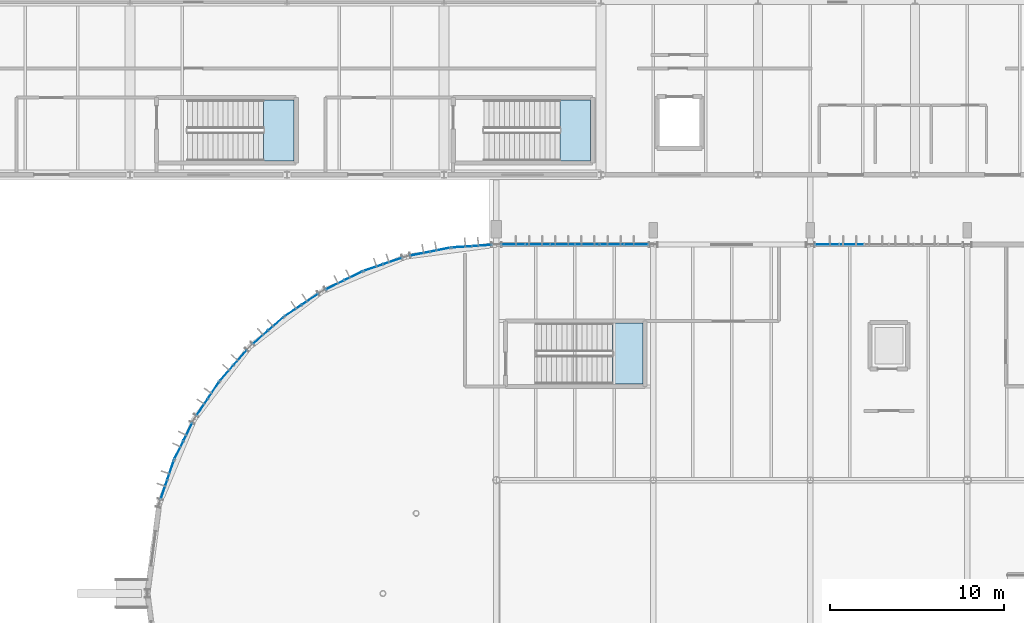
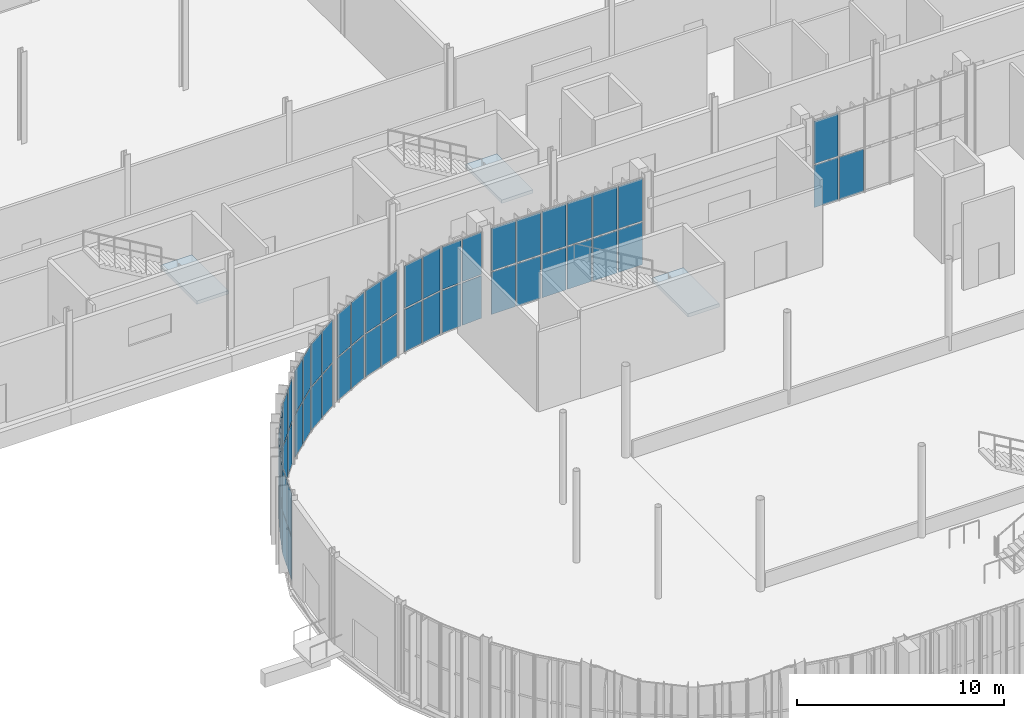
# One storey, part 110 of 158: 55 plates, 3 slabs, 15 elements without a shape of their own.
"""IFC4 building model written with IfcOpenShell, lengths in metres."""

from ifc_helpers import new_model, si_unit, derived_unit, direction, frame, origin, origin_2d, place, context, subcontext, project, spatial, polyline, rectangle, outline, extrude, material, layer, layer_set, type_object, element, aggregate, save


model = new_model("IFC4")

# Units and contexts
model_context = context("Model", 3, precision=1e-05, world=origin(), true_north=direction((0.0, 1.0)))
body_context = subcontext(model_context, "Body", "Model", "MODEL_VIEW")
ifc_project = project(units=[si_unit("LENGTHUNIT", "METRE"), si_unit("AREAUNIT", "SQUARE_METRE"), si_unit("VOLUMEUNIT", "CUBIC_METRE"), si_unit("PLANEANGLEUNIT", "RADIAN"), si_unit("MASSUNIT", "GRAM", prefix="KILO"), si_unit("THERMODYNAMICTEMPERATUREUNIT", "KELVIN"), si_unit("TIMEUNIT", "SECOND"), derived_unit("THERMALTRANSMITTANCEUNIT", [(si_unit("MASSUNIT", "GRAM", prefix="KILO"), 1), (si_unit("THERMODYNAMICTEMPERATUREUNIT", "KELVIN"), -1), (si_unit("TIMEUNIT", "SECOND"), -3)])], contexts=[model_context])

# Site, building, storey
site_placement = place(None, origin())
site = spatial("IfcSite", under=ifc_project, at=site_placement, CompositionType="ELEMENT")
building_placement = place(site_placement, origin())
building = spatial("IfcBuilding", under=site, at=building_placement, Name="Cambertide Market Hall", CompositionType="ELEMENT")
storey_placement = place(building_placement, origin())
storey = spatial("IfcBuildingStorey", under=building, at=storey_placement, Name="L01", CompositionType="ELEMENT", Elevation=0.0)

# Stair, slab
ifc_material_1 = material(Name="Concrete B35", Category="concrete")
stair_type_1 = type_object("IfcStairType", Name="Concrete Dogleg Stair ST-01", PredefinedType="HALF_TURN_STAIR", material=ifc_material_1)
stair_1_placement = place(storey_placement, origin())
stair_1 = element("IfcStair", 1, at=stair_1_placement, inside=storey, type_object=stair_type_1, Name="Level 1 Exit Stair Core 01", PredefinedType="HALF_TURN_STAIR")
ifc_material_2 = material(Name="Concrete B35", Category="concrete")
ifc_layer_1 = layer(ifc_material_2, 0.199951171875, Name="Concrete Stair Half-Landing 200")
ifc_layer_set_1 = layer_set([ifc_layer_1], Name="Concrete B35")
slab_type = type_object("IfcSlabType", Name="Concrete Stair Half-Landing 200", PredefinedType="LANDING", material=ifc_layer_set_1)
slab_1_placement = place(storey_placement, frame((0.0, 0.0, 2.5)))
slab_1 = element("IfcSlab", 2, at=slab_1_placement, type_object=slab_type, Name="ST-01 landing 1", PredefinedType="LANDING", context=body_context, shape_type="SweptSolid", body=[
    extrude(outline(polyline([(48.64599609375, 84.0), (50.39990234375, 84.0), (50.39990234375, 87.5), (48.64599609375, 87.5), (48.64599609375, 84.0)])), origin(), (0.0, 0.0, 1.0), 0.199951171875),
])
aggregate(stair_1, [slab_1])

ifc_material_3 = material(Name="Concrete B35", Category="concrete")
stair_type_2 = type_object("IfcStairType", Name="Concrete Dogleg Stair ST-03", PredefinedType="HALF_TURN_STAIR", material=ifc_material_3)
stair_2_placement = place(storey_placement, origin())
stair_2 = element("IfcStair", 3, at=stair_2_placement, inside=storey, type_object=stair_type_2, Name="Level 1 Exit Stair Core 03", PredefinedType="HALF_TURN_STAIR")
slab_2_placement = place(storey_placement, frame((0.0, 0.0, 2.5)))
slab_2 = element("IfcSlab", 4, at=slab_2_placement, type_object=slab_type, Name="ST-03 landing 1", PredefinedType="LANDING", context=body_context, shape_type="SweptSolid", body=[
    extrude(outline(polyline([(28.64599609375, 96.800048828125), (30.39990234375, 96.800048828125), (30.39990234375, 100.300048828125), (28.64599609375, 100.300048828125), (28.64599609375, 96.800048828125)])), origin(), (0.0, 0.0, 1.0), 0.199951171875),
])
aggregate(stair_2, [slab_2])

ifc_material_4 = material(Name="Concrete B35", Category="concrete")
stair_type_3 = type_object("IfcStairType", Name="Concrete Dogleg Stair ST-03B", PredefinedType="HALF_TURN_STAIR", material=ifc_material_4)
stair_3_placement = place(storey_placement, origin())
stair_3 = element("IfcStair", 5, at=stair_3_placement, inside=storey, type_object=stair_type_3, Name="Level 1 Exit Stair Core 03B", PredefinedType="HALF_TURN_STAIR")
slab_3_placement = place(storey_placement, frame((0.0, 0.0, 2.5)))
slab_3 = element("IfcSlab", 6, at=slab_3_placement, type_object=slab_type, Name="ST-03B landing 1", PredefinedType="LANDING", context=body_context, shape_type="SweptSolid", body=[
    extrude(outline(polyline([(45.64599609375, 96.800048828125), (47.39990234375, 96.800048828125), (47.39990234375, 100.300048828125), (45.64599609375, 100.300048828125), (45.64599609375, 96.800048828125)])), origin(), (0.0, 0.0, 1.0), 0.199951171875),
])
aggregate(stair_3, [slab_3])

# Curtain wall, plates
ifc_material_5 = material(Name="Marine Anodized Aluminium 6063-T6 AA25", Category="aluminium")
curtain_wall_type_1 = type_object("IfcCurtainWallType", Name="Lantern Straight Lower Curtain Wall", PredefinedType="USERDEFINED", material=ifc_material_5)
curtain_wall_1_placement = place(storey_placement, origin())
curtain_wall_1 = element("IfcCurtainWall", 7, at=curtain_wall_1_placement, inside=storey, type_object=curtain_wall_type_1, Name="Level 1 Curtain Wall CW-V1N-L01-1", ObjectType="UNITIZED CURTAIN WALL", PredefinedType="USERDEFINED")
ifc_material_6 = material(Name="Low-E Laminated Insulated Glass", Category="glass")
ifc_layer_2 = layer(ifc_material_6, 0.028076171875, Name="Vision Insulated Glazing Panel 28")
ifc_layer_set_2 = layer_set([ifc_layer_2], Name="Low-E Laminated Insulated Glass")
plate_type = type_object("IfcPlateType", Name="Vision Insulated Glazing Panel 28", PredefinedType="CURTAIN_PANEL", material=ifc_layer_set_2)
plate_1_placement = place(storey_placement, frame((42.958251953125, 92.0, 0.0400390625), z_axis=(0.0, 0.0, 1.0), x_axis=(1.0, 0.0, 0.0)))
plate_1 = element("IfcPlate", 8, at=plate_1_placement, type_object=plate_type, Name="CW-V1N-L01-1 Glazing Panel 1-1", PredefinedType="CURTAIN_PANEL", context=body_context, shape_type="SweptSolid", body=[
    extrude(rectangle(XDim=1.336669921875, YDim=0.028076171875, at=origin_2d()), origin(), (0.0, 0.0, 1.0), 2.5),
])
plate_2_placement = place(storey_placement, frame((44.375, 92.0, 0.0400390625), z_axis=(0.0, 0.0, 1.0), x_axis=(1.0, 0.0, 0.0)))
plate_2 = element("IfcPlate", 9, at=plate_2_placement, type_object=plate_type, Name="CW-V1N-L01-1 Glazing Panel 1-2", PredefinedType="CURTAIN_PANEL", context=body_context, shape_type="SweptSolid", body=[
    extrude(rectangle(XDim=1.336669921875, YDim=0.028076171875, at=origin_2d()), origin(), (0.0, 0.0, 1.0), 2.5),
])
plate_3_placement = place(storey_placement, frame((45.791748046875, 92.0, 0.0400390625), z_axis=(0.0, 0.0, 1.0), x_axis=(1.0, 0.0, 0.0)))
plate_3 = element("IfcPlate", 10, at=plate_3_placement, type_object=plate_type, Name="CW-V1N-L01-1 Glazing Panel 1-3", PredefinedType="CURTAIN_PANEL", context=body_context, shape_type="SweptSolid", body=[
    extrude(rectangle(XDim=1.336669921875, YDim=0.028076171875, at=origin_2d()), origin(), (0.0, 0.0, 1.0), 2.5),
])
plate_4_placement = place(storey_placement, frame((47.208251953125, 92.0, 0.0400390625), z_axis=(0.0, 0.0, 1.0), x_axis=(1.0, 0.0, 0.0)))
plate_4 = element("IfcPlate", 11, at=plate_4_placement, type_object=plate_type, Name="CW-V1N-L01-1 Glazing Panel 1-4", PredefinedType="CURTAIN_PANEL", context=body_context, shape_type="SweptSolid", body=[
    extrude(rectangle(XDim=1.336669921875, YDim=0.028076171875, at=origin_2d()), origin(), (0.0, 0.0, 1.0), 2.5),
])
plate_5_placement = place(storey_placement, frame((48.625, 92.0, 0.0400390625), z_axis=(0.0, 0.0, 1.0), x_axis=(1.0, 0.0, 0.0)))
plate_5 = element("IfcPlate", 12, at=plate_5_placement, type_object=plate_type, Name="CW-V1N-L01-1 Glazing Panel 1-5", PredefinedType="CURTAIN_PANEL", context=body_context, shape_type="SweptSolid", body=[
    extrude(rectangle(XDim=1.336669921875, YDim=0.028076171875, at=origin_2d()), origin(), (0.0, 0.0, 1.0), 2.5),
])
plate_6_placement = place(storey_placement, frame((50.041748046875, 92.0, 0.0400390625), z_axis=(0.0, 0.0, 1.0), x_axis=(1.0, 0.0, 0.0)))
plate_6 = element("IfcPlate", 13, at=plate_6_placement, type_object=plate_type, Name="CW-V1N-L01-1 Glazing Panel 1-6", PredefinedType="CURTAIN_PANEL", context=body_context, shape_type="SweptSolid", body=[
    extrude(rectangle(XDim=1.336669921875, YDim=0.028076171875, at=origin_2d()), origin(), (0.0, 0.0, 1.0), 2.5),
])
plate_7_placement = place(storey_placement, frame((42.958251953125, 92.0, 2.6201171875), z_axis=(0.0, 0.0, 1.0), x_axis=(1.0, 0.0, 0.0)))
plate_7 = element("IfcPlate", 14, at=plate_7_placement, type_object=plate_type, Name="CW-V1N-L01-1 Glazing Panel 2-1", PredefinedType="CURTAIN_PANEL", context=body_context, shape_type="SweptSolid", body=[
    extrude(rectangle(XDim=1.336669921875, YDim=0.028076171875, at=origin_2d()), origin(), (0.0, 0.0, 1.0), 2.5),
])
plate_8_placement = place(storey_placement, frame((44.375, 92.0, 2.6201171875), z_axis=(0.0, 0.0, 1.0), x_axis=(1.0, 0.0, 0.0)))
plate_8 = element("IfcPlate", 15, at=plate_8_placement, type_object=plate_type, Name="CW-V1N-L01-1 Glazing Panel 2-2", PredefinedType="CURTAIN_PANEL", context=body_context, shape_type="SweptSolid", body=[
    extrude(rectangle(XDim=1.336669921875, YDim=0.028076171875, at=origin_2d()), origin(), (0.0, 0.0, 1.0), 2.5),
])
plate_9_placement = place(storey_placement, frame((45.791748046875, 92.0, 2.6201171875), z_axis=(0.0, 0.0, 1.0), x_axis=(1.0, 0.0, 0.0)))
plate_9 = element("IfcPlate", 16, at=plate_9_placement, type_object=plate_type, Name="CW-V1N-L01-1 Glazing Panel 2-3", PredefinedType="CURTAIN_PANEL", context=body_context, shape_type="SweptSolid", body=[
    extrude(rectangle(XDim=1.336669921875, YDim=0.028076171875, at=origin_2d()), origin(), (0.0, 0.0, 1.0), 2.5),
])
plate_10_placement = place(storey_placement, frame((47.208251953125, 92.0, 2.6201171875), z_axis=(0.0, 0.0, 1.0), x_axis=(1.0, 0.0, 0.0)))
plate_10 = element("IfcPlate", 17, at=plate_10_placement, type_object=plate_type, Name="CW-V1N-L01-1 Glazing Panel 2-4", PredefinedType="CURTAIN_PANEL", context=body_context, shape_type="SweptSolid", body=[
    extrude(rectangle(XDim=1.336669921875, YDim=0.028076171875, at=origin_2d()), origin(), (0.0, 0.0, 1.0), 2.5),
])
plate_11_placement = place(storey_placement, frame((48.625, 92.0, 2.6201171875), z_axis=(0.0, 0.0, 1.0), x_axis=(1.0, 0.0, 0.0)))
plate_11 = element("IfcPlate", 18, at=plate_11_placement, type_object=plate_type, Name="CW-V1N-L01-1 Glazing Panel 2-5", PredefinedType="CURTAIN_PANEL", context=body_context, shape_type="SweptSolid", body=[
    extrude(rectangle(XDim=1.336669921875, YDim=0.028076171875, at=origin_2d()), origin(), (0.0, 0.0, 1.0), 2.5),
])
plate_12_placement = place(storey_placement, frame((50.041748046875, 92.0, 2.6201171875), z_axis=(0.0, 0.0, 1.0), x_axis=(1.0, 0.0, 0.0)))
plate_12 = element("IfcPlate", 19, at=plate_12_placement, type_object=plate_type, Name="CW-V1N-L01-1 Glazing Panel 2-6", PredefinedType="CURTAIN_PANEL", context=body_context, shape_type="SweptSolid", body=[
    extrude(rectangle(XDim=1.336669921875, YDim=0.028076171875, at=origin_2d()), origin(), (0.0, 0.0, 1.0), 2.5),
])
aggregate(curtain_wall_1, [plate_1, plate_2, plate_3, plate_4, plate_5, plate_6, plate_7, plate_8, plate_9, plate_10, plate_11, plate_12])

curtain_wall_2_placement = place(storey_placement, origin())
curtain_wall_2 = element("IfcCurtainWall", 20, at=curtain_wall_2_placement, inside=storey, type_object=curtain_wall_type_1, Name="Level 1 Curtain Wall CW-V1N-L01-3", ObjectType="UNITIZED CURTAIN WALL", PredefinedType="USERDEFINED")
plate_13_placement = place(storey_placement, frame((60.958251953125, 92.0, 0.0400390625), z_axis=(0.0, 0.0, 1.0), x_axis=(1.0, 0.0, 0.0)))
plate_13 = element("IfcPlate", 21, at=plate_13_placement, type_object=plate_type, Name="CW-V1N-L01-3 Glazing Panel 1-1", PredefinedType="CURTAIN_PANEL", context=body_context, shape_type="SweptSolid", body=[
    extrude(rectangle(XDim=1.336669921875, YDim=0.028076171875, at=origin_2d()), origin(), (0.0, 0.0, 1.0), 2.5),
])
plate_14_placement = place(storey_placement, frame((62.375, 92.0, 0.0400390625), z_axis=(0.0, 0.0, 1.0), x_axis=(1.0, 0.0, 0.0)))
plate_14 = element("IfcPlate", 22, at=plate_14_placement, type_object=plate_type, Name="CW-V1N-L01-3 Glazing Panel 1-2", PredefinedType="CURTAIN_PANEL", context=body_context, shape_type="SweptSolid", body=[
    extrude(rectangle(XDim=1.336669921875, YDim=0.028076171875, at=origin_2d()), origin(), (0.0, 0.0, 1.0), 2.5),
])
plate_15_placement = place(storey_placement, frame((60.958251953125, 92.0, 2.6201171875), z_axis=(0.0, 0.0, 1.0), x_axis=(1.0, 0.0, 0.0)))
plate_15 = element("IfcPlate", 23, at=plate_15_placement, type_object=plate_type, Name="CW-V1N-L01-3 Glazing Panel 2-1", PredefinedType="CURTAIN_PANEL", context=body_context, shape_type="SweptSolid", body=[
    extrude(rectangle(XDim=1.336669921875, YDim=0.028076171875, at=origin_2d()), origin(), (0.0, 0.0, 1.0), 2.5),
])
aggregate(curtain_wall_2, [plate_13, plate_14, plate_15])

ifc_material_7 = material(Name="Marine Anodized Aluminium 6063-T6 AA25", Category="aluminium")
curtain_wall_type_2 = type_object("IfcCurtainWallType", Name="Lantern Apse Chord Lower Curtain Wall", PredefinedType="USERDEFINED", material=ifc_material_7)
curtain_wall_3_placement = place(storey_placement, origin())
curtain_wall_3 = element("IfcCurtainWall", 24, at=curtain_wall_3_placement, inside=storey, type_object=curtain_wall_type_2, Name="Level 1 Curtain Wall CW-V1AW-L01-01", ObjectType="UNITIZED CURTAIN WALL", PredefinedType="USERDEFINED")
plate_16_placement = place(storey_placement, frame((40.002197265625, 91.869140625, 0.0400390625), z_axis=(0.0, 0.0, 1.0), x_axis=(0.997858917819, 0.065403211921, 0.0)))
plate_16 = element("IfcPlate", 25, at=plate_16_placement, type_object=plate_type, Name="CW-V1AW-L01-01 Glazing Panel 1-1", PredefinedType="CURTAIN_PANEL", context=body_context, shape_type="SweptSolid", body=[
    extrude(rectangle(XDim=1.108154296875, YDim=0.028076171875, at=origin_2d()), origin(), (0.0, 0.0, 1.0), 2.5),
])
plate_17_placement = place(storey_placement, frame((41.187744140625, 91.94677734375, 0.0400390625), z_axis=(0.0, 0.0, 1.0), x_axis=(0.997858917819, 0.065403211921, 0.0)))
plate_17 = element("IfcPlate", 26, at=plate_17_placement, type_object=plate_type, Name="CW-V1AW-L01-01 Glazing Panel 1-2", PredefinedType="CURTAIN_PANEL", context=body_context, shape_type="SweptSolid", body=[
    extrude(rectangle(XDim=1.108154296875, YDim=0.028076171875, at=origin_2d()), origin(), (0.0, 0.0, 1.0), 2.5),
])
plate_18_placement = place(storey_placement, frame((40.002197265625, 91.869140625, 2.6201171875), z_axis=(0.0, 0.0, 1.0), x_axis=(0.997858917819, 0.065403211921, 0.0)))
plate_18 = element("IfcPlate", 27, at=plate_18_placement, type_object=plate_type, Name="CW-V1AW-L01-01 Glazing Panel 2-1", PredefinedType="CURTAIN_PANEL", context=body_context, shape_type="SweptSolid", body=[
    extrude(rectangle(XDim=1.108154296875, YDim=0.028076171875, at=origin_2d()), origin(), (0.0, 0.0, 1.0), 2.5),
])
plate_19_placement = place(storey_placement, frame((41.187744140625, 91.94677734375, 2.6201171875), z_axis=(0.0, 0.0, 1.0), x_axis=(0.997858917819, 0.065403211921, 0.0)))
plate_19 = element("IfcPlate", 28, at=plate_19_placement, type_object=plate_type, Name="CW-V1AW-L01-01 Glazing Panel 2-2", PredefinedType="CURTAIN_PANEL", context=body_context, shape_type="SweptSolid", body=[
    extrude(rectangle(XDim=1.108154296875, YDim=0.028076171875, at=origin_2d()), origin(), (0.0, 0.0, 1.0), 2.5),
])
aggregate(curtain_wall_3, [plate_16, plate_17, plate_18, plate_19])

curtain_wall_4_placement = place(storey_placement, origin())
curtain_wall_4 = element("IfcCurtainWall", 29, at=curtain_wall_4_placement, inside=storey, type_object=curtain_wall_type_2, Name="Level 1 Curtain Wall CW-V1AW-L01-02", ObjectType="UNITIZED CURTAIN WALL", PredefinedType="USERDEFINED")
plate_20_placement = place(storey_placement, frame((37.6220703125, 91.477294921875, 0.0400390625), z_axis=(0.0, 0.0, 1.0), x_axis=(0.980785330885, 0.195090068226, 0.0)))
plate_20 = element("IfcPlate", 30, at=plate_20_placement, type_object=plate_type, Name="CW-V1AW-L01-02 Glazing Panel 1-1", PredefinedType="CURTAIN_PANEL", context=body_context, shape_type="SweptSolid", body=[
    extrude(rectangle(XDim=1.108154296875, YDim=0.028076171875, at=origin_2d()), origin(), (0.0, 0.0, 1.0), 2.5),
])
plate_21_placement = place(storey_placement, frame((38.787353515625, 91.708984375, 0.0400390625), z_axis=(0.0, 0.0, 1.0), x_axis=(0.980785330885, 0.195090068226, 0.0)))
plate_21 = element("IfcPlate", 31, at=plate_21_placement, type_object=plate_type, Name="CW-V1AW-L01-02 Glazing Panel 1-2", PredefinedType="CURTAIN_PANEL", context=body_context, shape_type="SweptSolid", body=[
    extrude(rectangle(XDim=1.108154296875, YDim=0.028076171875, at=origin_2d()), origin(), (0.0, 0.0, 1.0), 2.5),
])
plate_22_placement = place(storey_placement, frame((37.6220703125, 91.477294921875, 2.6201171875), z_axis=(0.0, 0.0, 1.0), x_axis=(0.980785330885, 0.195090068226, 0.0)))
plate_22 = element("IfcPlate", 32, at=plate_22_placement, type_object=plate_type, Name="CW-V1AW-L01-02 Glazing Panel 2-1", PredefinedType="CURTAIN_PANEL", context=body_context, shape_type="SweptSolid", body=[
    extrude(rectangle(XDim=1.108154296875, YDim=0.028076171875, at=origin_2d()), origin(), (0.0, 0.0, 1.0), 2.5),
])
plate_23_placement = place(storey_placement, frame((38.787353515625, 91.708984375, 2.6201171875), z_axis=(0.0, 0.0, 1.0), x_axis=(0.980785330885, 0.195090068226, 0.0)))
plate_23 = element("IfcPlate", 33, at=plate_23_placement, type_object=plate_type, Name="CW-V1AW-L01-02 Glazing Panel 2-2", PredefinedType="CURTAIN_PANEL", context=body_context, shape_type="SweptSolid", body=[
    extrude(rectangle(XDim=1.108154296875, YDim=0.028076171875, at=origin_2d()), origin(), (0.0, 0.0, 1.0), 2.5),
])
aggregate(curtain_wall_4, [plate_20, plate_21, plate_22, plate_23])

curtain_wall_5_placement = place(storey_placement, origin())
curtain_wall_5 = element("IfcCurtainWall", 34, at=curtain_wall_5_placement, inside=storey, type_object=curtain_wall_type_2, Name="Level 1 Curtain Wall CW-V1AW-L01-03", ObjectType="UNITIZED CURTAIN WALL", PredefinedType="USERDEFINED")
plate_24_placement = place(storey_placement, frame((34.927734375, 90.675048828125, 0.0400390625), z_axis=(0.0, 0.0, 1.0), x_axis=(0.94693012508, 0.32143947831, 0.0)))
plate_24 = element("IfcPlate", 35, at=plate_24_placement, type_object=plate_type, Name="CW-V1AW-L01-03 Glazing Panel 1-1", PredefinedType="CURTAIN_PANEL", context=body_context, shape_type="SweptSolid", body=[
    extrude(rectangle(XDim=1.108154296875, YDim=0.028076171875, at=origin_2d()), origin(), (0.0, 0.0, 1.0), 2.5),
])
plate_25_placement = place(storey_placement, frame((36.052734375, 91.056884765625, 0.0400390625), z_axis=(0.0, 0.0, 1.0), x_axis=(0.94693012508, 0.32143947831, 0.0)))
plate_25 = element("IfcPlate", 36, at=plate_25_placement, type_object=plate_type, Name="CW-V1AW-L01-03 Glazing Panel 1-2", PredefinedType="CURTAIN_PANEL", context=body_context, shape_type="SweptSolid", body=[
    extrude(rectangle(XDim=1.108154296875, YDim=0.028076171875, at=origin_2d()), origin(), (0.0, 0.0, 1.0), 2.5),
])
plate_26_placement = place(storey_placement, frame((34.927734375, 90.675048828125, 2.6201171875), z_axis=(0.0, 0.0, 1.0), x_axis=(0.94693012508, 0.32143947831, 0.0)))
plate_26 = element("IfcPlate", 37, at=plate_26_placement, type_object=plate_type, Name="CW-V1AW-L01-03 Glazing Panel 2-1", PredefinedType="CURTAIN_PANEL", context=body_context, shape_type="SweptSolid", body=[
    extrude(rectangle(XDim=1.108154296875, YDim=0.028076171875, at=origin_2d()), origin(), (0.0, 0.0, 1.0), 2.5),
])
plate_27_placement = place(storey_placement, frame((36.052734375, 91.056884765625, 2.6201171875), z_axis=(0.0, 0.0, 1.0), x_axis=(0.94693012508, 0.32143947831, 0.0)))
plate_27 = element("IfcPlate", 38, at=plate_27_placement, type_object=plate_type, Name="CW-V1AW-L01-03 Glazing Panel 2-2", PredefinedType="CURTAIN_PANEL", context=body_context, shape_type="SweptSolid", body=[
    extrude(rectangle(XDim=1.108154296875, YDim=0.028076171875, at=origin_2d()), origin(), (0.0, 0.0, 1.0), 2.5),
])
aggregate(curtain_wall_5, [plate_24, plate_25, plate_26, plate_27])

curtain_wall_6_placement = place(storey_placement, origin())
curtain_wall_6 = element("IfcCurtainWall", 39, at=curtain_wall_6_placement, inside=storey, type_object=curtain_wall_type_2, Name="Level 1 Curtain Wall CW-V1AW-L01-04", ObjectType="UNITIZED CURTAIN WALL", PredefinedType="USERDEFINED")
plate_28_placement = place(storey_placement, frame((32.72998046875, 89.6806640625, 0.0400390625), z_axis=(0.0, 0.0, 1.0), x_axis=(0.896872650645, 0.442288874522, 0.0)))
plate_28 = element("IfcPlate", 40, at=plate_28_placement, type_object=plate_type, Name="CW-V1AW-L01-04 Glazing Panel 1-1", PredefinedType="CURTAIN_PANEL", context=body_context, shape_type="SweptSolid", body=[
    extrude(rectangle(XDim=1.108154296875, YDim=0.028076171875, at=origin_2d()), origin(), (0.0, 0.0, 1.0), 2.5),
])
plate_29_placement = place(storey_placement, frame((33.795654296875, 90.2060546875, 0.0400390625), z_axis=(0.0, 0.0, 1.0), x_axis=(0.896872650645, 0.442288874522, 0.0)))
plate_29 = element("IfcPlate", 41, at=plate_29_placement, type_object=plate_type, Name="CW-V1AW-L01-04 Glazing Panel 1-2", PredefinedType="CURTAIN_PANEL", context=body_context, shape_type="SweptSolid", body=[
    extrude(rectangle(XDim=1.108154296875, YDim=0.028076171875, at=origin_2d()), origin(), (0.0, 0.0, 1.0), 2.5),
])
plate_30_placement = place(storey_placement, frame((32.72998046875, 89.6806640625, 2.6201171875), z_axis=(0.0, 0.0, 1.0), x_axis=(0.896872650645, 0.442288874522, 0.0)))
plate_30 = element("IfcPlate", 42, at=plate_30_placement, type_object=plate_type, Name="CW-V1AW-L01-04 Glazing Panel 2-1", PredefinedType="CURTAIN_PANEL", context=body_context, shape_type="SweptSolid", body=[
    extrude(rectangle(XDim=1.108154296875, YDim=0.028076171875, at=origin_2d()), origin(), (0.0, 0.0, 1.0), 2.5),
])
plate_31_placement = place(storey_placement, frame((33.795654296875, 90.2060546875, 2.6201171875), z_axis=(0.0, 0.0, 1.0), x_axis=(0.896872650645, 0.442288874522, 0.0)))
plate_31 = element("IfcPlate", 43, at=plate_31_placement, type_object=plate_type, Name="CW-V1AW-L01-04 Glazing Panel 2-2", PredefinedType="CURTAIN_PANEL", context=body_context, shape_type="SweptSolid", body=[
    extrude(rectangle(XDim=1.108154296875, YDim=0.028076171875, at=origin_2d()), origin(), (0.0, 0.0, 1.0), 2.5),
])
aggregate(curtain_wall_6, [plate_28, plate_29, plate_30, plate_31])

curtain_wall_7_placement = place(storey_placement, origin())
curtain_wall_7 = element("IfcCurtainWall", 44, at=curtain_wall_7_placement, inside=storey, type_object=curtain_wall_type_2, Name="Level 1 Curtain Wall CW-V1AW-L01-05", ObjectType="UNITIZED CURTAIN WALL", PredefinedType="USERDEFINED")
plate_32_placement = place(storey_placement, frame((30.335205078125, 88.208251953125, 0.0400390625), z_axis=(0.0, 0.0, 1.0), x_axis=(0.831469709481, 0.555570087582, 0.0)))
plate_32 = element("IfcPlate", 45, at=plate_32_placement, type_object=plate_type, Name="CW-V1AW-L01-05 Glazing Panel 1-1", PredefinedType="CURTAIN_PANEL", context=body_context, shape_type="SweptSolid", body=[
    extrude(rectangle(XDim=1.108154296875, YDim=0.028076171875, at=origin_2d()), origin(), (0.0, 0.0, 1.0), 2.5),
])
plate_33_placement = place(storey_placement, frame((31.3232421875, 88.8681640625, 0.0400390625), z_axis=(0.0, 0.0, 1.0), x_axis=(0.831469709481, 0.555570087582, 0.0)))
plate_33 = element("IfcPlate", 46, at=plate_33_placement, type_object=plate_type, Name="CW-V1AW-L01-05 Glazing Panel 1-2", PredefinedType="CURTAIN_PANEL", context=body_context, shape_type="SweptSolid", body=[
    extrude(rectangle(XDim=1.108154296875, YDim=0.028076171875, at=origin_2d()), origin(), (0.0, 0.0, 1.0), 2.5),
])
plate_34_placement = place(storey_placement, frame((30.335205078125, 88.208251953125, 2.6201171875), z_axis=(0.0, 0.0, 1.0), x_axis=(0.831469709481, 0.555570087582, 0.0)))
plate_34 = element("IfcPlate", 47, at=plate_34_placement, type_object=plate_type, Name="CW-V1AW-L01-05 Glazing Panel 2-1", PredefinedType="CURTAIN_PANEL", context=body_context, shape_type="SweptSolid", body=[
    extrude(rectangle(XDim=1.108154296875, YDim=0.028076171875, at=origin_2d()), origin(), (0.0, 0.0, 1.0), 2.5),
])
plate_35_placement = place(storey_placement, frame((31.3232421875, 88.8681640625, 2.6201171875), z_axis=(0.0, 0.0, 1.0), x_axis=(0.831469709481, 0.555570087582, 0.0)))
plate_35 = element("IfcPlate", 48, at=plate_35_placement, type_object=plate_type, Name="CW-V1AW-L01-05 Glazing Panel 2-2", PredefinedType="CURTAIN_PANEL", context=body_context, shape_type="SweptSolid", body=[
    extrude(rectangle(XDim=1.108154296875, YDim=0.028076171875, at=origin_2d()), origin(), (0.0, 0.0, 1.0), 2.5),
])
aggregate(curtain_wall_7, [plate_32, plate_33, plate_34, plate_35])

curtain_wall_8_placement = place(storey_placement, origin())
curtain_wall_8 = element("IfcCurtainWall", 49, at=curtain_wall_8_placement, inside=storey, type_object=curtain_wall_type_2, Name="Level 1 Curtain Wall CW-V1AW-L01-06", ObjectType="UNITIZED CURTAIN WALL", PredefinedType="USERDEFINED")
plate_36_placement = place(storey_placement, frame((28.469970703125, 86.678955078125, 0.0400390625), z_axis=(0.0, 0.0, 1.0), x_axis=(0.751839834741, 0.659345784014, 0.0)))
plate_36 = element("IfcPlate", 50, at=plate_36_placement, type_object=plate_type, Name="CW-V1AW-L01-06 Glazing Panel 1-1", PredefinedType="CURTAIN_PANEL", context=body_context, shape_type="SweptSolid", body=[
    extrude(rectangle(XDim=1.108154296875, YDim=0.028076171875, at=origin_2d()), origin(), (0.0, 0.0, 1.0), 2.5),
])
plate_37_placement = place(storey_placement, frame((29.363037109375, 87.462158203125, 0.0400390625), z_axis=(0.0, 0.0, 1.0), x_axis=(0.751839834741, 0.659345784014, 0.0)))
plate_37 = element("IfcPlate", 51, at=plate_37_placement, type_object=plate_type, Name="CW-V1AW-L01-06 Glazing Panel 1-2", PredefinedType="CURTAIN_PANEL", context=body_context, shape_type="SweptSolid", body=[
    extrude(rectangle(XDim=1.108154296875, YDim=0.028076171875, at=origin_2d()), origin(), (0.0, 0.0, 1.0), 2.5),
])
plate_38_placement = place(storey_placement, frame((28.469970703125, 86.678955078125, 2.6201171875), z_axis=(0.0, 0.0, 1.0), x_axis=(0.751839834741, 0.659345784014, 0.0)))
plate_38 = element("IfcPlate", 52, at=plate_38_placement, type_object=plate_type, Name="CW-V1AW-L01-06 Glazing Panel 2-1", PredefinedType="CURTAIN_PANEL", context=body_context, shape_type="SweptSolid", body=[
    extrude(rectangle(XDim=1.108154296875, YDim=0.028076171875, at=origin_2d()), origin(), (0.0, 0.0, 1.0), 2.5),
])
plate_39_placement = place(storey_placement, frame((29.363037109375, 87.462158203125, 2.6201171875), z_axis=(0.0, 0.0, 1.0), x_axis=(0.751839834741, 0.659345784014, 0.0)))
plate_39 = element("IfcPlate", 53, at=plate_39_placement, type_object=plate_type, Name="CW-V1AW-L01-06 Glazing Panel 2-2", PredefinedType="CURTAIN_PANEL", context=body_context, shape_type="SweptSolid", body=[
    extrude(rectangle(XDim=1.108154296875, YDim=0.028076171875, at=origin_2d()), origin(), (0.0, 0.0, 1.0), 2.5),
])
aggregate(curtain_wall_8, [plate_36, plate_37, plate_38, plate_39])

curtain_wall_9_placement = place(storey_placement, origin())
curtain_wall_9 = element("IfcCurtainWall", 54, at=curtain_wall_9_placement, inside=storey, type_object=curtain_wall_type_2, Name="Level 1 Curtain Wall CW-V1AW-L01-07", ObjectType="UNITIZED CURTAIN WALL", PredefinedType="USERDEFINED")
plate_40_placement = place(storey_placement, frame((26.537841796875, 84.636962890625, 0.0400390625), z_axis=(0.0, 0.0, 1.0), x_axis=(0.659345784014, 0.751839834741, 0.0)))
plate_40 = element("IfcPlate", 55, at=plate_40_placement, type_object=plate_type, Name="CW-V1AW-L01-07 Glazing Panel 1-1", PredefinedType="CURTAIN_PANEL", context=body_context, shape_type="SweptSolid", body=[
    extrude(rectangle(XDim=1.108154296875, YDim=0.028076171875, at=origin_2d()), origin(), (0.0, 0.0, 1.0), 2.5),
])
plate_41_placement = place(storey_placement, frame((27.321044921875, 85.530029296875, 0.0400390625), z_axis=(0.0, 0.0, 1.0), x_axis=(0.659345784014, 0.751839834741, 0.0)))
plate_41 = element("IfcPlate", 56, at=plate_41_placement, type_object=plate_type, Name="CW-V1AW-L01-07 Glazing Panel 1-2", PredefinedType="CURTAIN_PANEL", context=body_context, shape_type="SweptSolid", body=[
    extrude(rectangle(XDim=1.108154296875, YDim=0.028076171875, at=origin_2d()), origin(), (0.0, 0.0, 1.0), 2.5),
])
plate_42_placement = place(storey_placement, frame((26.537841796875, 84.636962890625, 2.6201171875), z_axis=(0.0, 0.0, 1.0), x_axis=(0.659345784014, 0.751839834741, 0.0)))
plate_42 = element("IfcPlate", 57, at=plate_42_placement, type_object=plate_type, Name="CW-V1AW-L01-07 Glazing Panel 2-1", PredefinedType="CURTAIN_PANEL", context=body_context, shape_type="SweptSolid", body=[
    extrude(rectangle(XDim=1.108154296875, YDim=0.028076171875, at=origin_2d()), origin(), (0.0, 0.0, 1.0), 2.5),
])
plate_43_placement = place(storey_placement, frame((27.321044921875, 85.530029296875, 2.6201171875), z_axis=(0.0, 0.0, 1.0), x_axis=(0.659345784014, 0.751839834741, 0.0)))
plate_43 = element("IfcPlate", 58, at=plate_43_placement, type_object=plate_type, Name="CW-V1AW-L01-07 Glazing Panel 2-2", PredefinedType="CURTAIN_PANEL", context=body_context, shape_type="SweptSolid", body=[
    extrude(rectangle(XDim=1.108154296875, YDim=0.028076171875, at=origin_2d()), origin(), (0.0, 0.0, 1.0), 2.5),
])
aggregate(curtain_wall_9, [plate_40, plate_41, plate_42, plate_43])

curtain_wall_10_placement = place(storey_placement, origin())
curtain_wall_10 = element("IfcCurtainWall", 59, at=curtain_wall_10_placement, inside=storey, type_object=curtain_wall_type_2, Name="Level 1 Curtain Wall CW-V1AW-L01-08", ObjectType="UNITIZED CURTAIN WALL", PredefinedType="USERDEFINED")
plate_44_placement = place(storey_placement, frame((25.1318359375, 82.6767578125, 0.0400390625), z_axis=(0.0, 0.0, 1.0), x_axis=(0.555570087582, 0.831469709481, 0.0)))
plate_44 = element("IfcPlate", 60, at=plate_44_placement, type_object=plate_type, Name="CW-V1AW-L01-08 Glazing Panel 1-1", PredefinedType="CURTAIN_PANEL", context=body_context, shape_type="SweptSolid", body=[
    extrude(rectangle(XDim=1.108154296875, YDim=0.028076171875, at=origin_2d()), origin(), (0.0, 0.0, 1.0), 2.5),
])
plate_45_placement = place(storey_placement, frame((25.791748046875, 83.664794921875, 0.0400390625), z_axis=(0.0, 0.0, 1.0), x_axis=(0.555570087582, 0.831469709481, 0.0)))
plate_45 = element("IfcPlate", 61, at=plate_45_placement, type_object=plate_type, Name="CW-V1AW-L01-08 Glazing Panel 1-2", PredefinedType="CURTAIN_PANEL", context=body_context, shape_type="SweptSolid", body=[
    extrude(rectangle(XDim=1.108154296875, YDim=0.028076171875, at=origin_2d()), origin(), (0.0, 0.0, 1.0), 2.5),
])
plate_46_placement = place(storey_placement, frame((25.1318359375, 82.6767578125, 2.6201171875), z_axis=(0.0, 0.0, 1.0), x_axis=(0.555570087582, 0.831469709481, 0.0)))
plate_46 = element("IfcPlate", 62, at=plate_46_placement, type_object=plate_type, Name="CW-V1AW-L01-08 Glazing Panel 2-1", PredefinedType="CURTAIN_PANEL", context=body_context, shape_type="SweptSolid", body=[
    extrude(rectangle(XDim=1.108154296875, YDim=0.028076171875, at=origin_2d()), origin(), (0.0, 0.0, 1.0), 2.5),
])
plate_47_placement = place(storey_placement, frame((25.791748046875, 83.664794921875, 2.6201171875), z_axis=(0.0, 0.0, 1.0), x_axis=(0.555570087582, 0.831469709481, 0.0)))
plate_47 = element("IfcPlate", 63, at=plate_47_placement, type_object=plate_type, Name="CW-V1AW-L01-08 Glazing Panel 2-2", PredefinedType="CURTAIN_PANEL", context=body_context, shape_type="SweptSolid", body=[
    extrude(rectangle(XDim=1.108154296875, YDim=0.028076171875, at=origin_2d()), origin(), (0.0, 0.0, 1.0), 2.5),
])
aggregate(curtain_wall_10, [plate_44, plate_45, plate_46, plate_47])

curtain_wall_11_placement = place(storey_placement, origin())
curtain_wall_11 = element("IfcCurtainWall", 64, at=curtain_wall_11_placement, inside=storey, type_object=curtain_wall_type_2, Name="Level 1 Curtain Wall CW-V1AW-L01-09", ObjectType="UNITIZED CURTAIN WALL", PredefinedType="USERDEFINED")
plate_48_placement = place(storey_placement, frame((23.7939453125, 80.204345703125, 0.0400390625), z_axis=(0.0, 0.0, 1.0), x_axis=(0.442288874522, 0.896872650645, 0.0)))
plate_48 = element("IfcPlate", 65, at=plate_48_placement, type_object=plate_type, Name="CW-V1AW-L01-09 Glazing Panel 1-1", PredefinedType="CURTAIN_PANEL", context=body_context, shape_type="SweptSolid", body=[
    extrude(rectangle(XDim=1.108154296875, YDim=0.028076171875, at=origin_2d()), origin(), (0.0, 0.0, 1.0), 2.5),
])
plate_49_placement = place(storey_placement, frame((24.3193359375, 81.27001953125, 0.0400390625), z_axis=(0.0, 0.0, 1.0), x_axis=(0.442288874522, 0.896872650645, 0.0)))
plate_49 = element("IfcPlate", 66, at=plate_49_placement, type_object=plate_type, Name="CW-V1AW-L01-09 Glazing Panel 1-2", PredefinedType="CURTAIN_PANEL", context=body_context, shape_type="SweptSolid", body=[
    extrude(rectangle(XDim=1.108154296875, YDim=0.028076171875, at=origin_2d()), origin(), (0.0, 0.0, 1.0), 2.5),
])
plate_50_placement = place(storey_placement, frame((23.7939453125, 80.204345703125, 2.6201171875), z_axis=(0.0, 0.0, 1.0), x_axis=(0.442288874522, 0.896872650645, 0.0)))
plate_50 = element("IfcPlate", 67, at=plate_50_placement, type_object=plate_type, Name="CW-V1AW-L01-09 Glazing Panel 2-1", PredefinedType="CURTAIN_PANEL", context=body_context, shape_type="SweptSolid", body=[
    extrude(rectangle(XDim=1.108154296875, YDim=0.028076171875, at=origin_2d()), origin(), (0.0, 0.0, 1.0), 2.5),
])
plate_51_placement = place(storey_placement, frame((24.3193359375, 81.27001953125, 2.6201171875), z_axis=(0.0, 0.0, 1.0), x_axis=(0.442288874522, 0.896872650645, 0.0)))
plate_51 = element("IfcPlate", 68, at=plate_51_placement, type_object=plate_type, Name="CW-V1AW-L01-09 Glazing Panel 2-2", PredefinedType="CURTAIN_PANEL", context=body_context, shape_type="SweptSolid", body=[
    extrude(rectangle(XDim=1.108154296875, YDim=0.028076171875, at=origin_2d()), origin(), (0.0, 0.0, 1.0), 2.5),
])
aggregate(curtain_wall_11, [plate_48, plate_49, plate_50, plate_51])

curtain_wall_12_placement = place(storey_placement, origin())
curtain_wall_12 = element("IfcCurtainWall", 69, at=curtain_wall_12_placement, inside=storey, type_object=curtain_wall_type_2, Name="Level 1 Curtain Wall CW-V1AW-L01-10", ObjectType="UNITIZED CURTAIN WALL", PredefinedType="USERDEFINED")
plate_52_placement = place(storey_placement, frame((22.943115234375, 77.947265625, 0.0400390625), z_axis=(0.0, 0.0, 1.0), x_axis=(0.32143947831, 0.94693012508, 0.0)))
plate_52 = element("IfcPlate", 70, at=plate_52_placement, type_object=plate_type, Name="CW-V1AW-L01-10 Glazing Panel 1-1", PredefinedType="CURTAIN_PANEL", context=body_context, shape_type="SweptSolid", body=[
    extrude(rectangle(XDim=1.108154296875, YDim=0.028076171875, at=origin_2d()), origin(), (0.0, 0.0, 1.0), 2.5),
])
plate_53_placement = place(storey_placement, frame((23.324951171875, 79.072265625, 0.0400390625), z_axis=(0.0, 0.0, 1.0), x_axis=(0.32143947831, 0.94693012508, 0.0)))
plate_53 = element("IfcPlate", 71, at=plate_53_placement, type_object=plate_type, Name="CW-V1AW-L01-10 Glazing Panel 1-2", PredefinedType="CURTAIN_PANEL", context=body_context, shape_type="SweptSolid", body=[
    extrude(rectangle(XDim=1.108154296875, YDim=0.028076171875, at=origin_2d()), origin(), (0.0, 0.0, 1.0), 2.5),
])
plate_54_placement = place(storey_placement, frame((22.943115234375, 77.947265625, 2.6201171875), z_axis=(0.0, 0.0, 1.0), x_axis=(0.32143947831, 0.94693012508, 0.0)))
plate_54 = element("IfcPlate", 72, at=plate_54_placement, type_object=plate_type, Name="CW-V1AW-L01-10 Glazing Panel 2-1", PredefinedType="CURTAIN_PANEL", context=body_context, shape_type="SweptSolid", body=[
    extrude(rectangle(XDim=1.108154296875, YDim=0.028076171875, at=origin_2d()), origin(), (0.0, 0.0, 1.0), 2.5),
])
plate_55_placement = place(storey_placement, frame((23.324951171875, 79.072265625, 2.6201171875), z_axis=(0.0, 0.0, 1.0), x_axis=(0.32143947831, 0.94693012508, 0.0)))
plate_55 = element("IfcPlate", 73, at=plate_55_placement, type_object=plate_type, Name="CW-V1AW-L01-10 Glazing Panel 2-2", PredefinedType="CURTAIN_PANEL", context=body_context, shape_type="SweptSolid", body=[
    extrude(rectangle(XDim=1.108154296875, YDim=0.028076171875, at=origin_2d()), origin(), (0.0, 0.0, 1.0), 2.5),
])
aggregate(curtain_wall_12, [plate_52, plate_53, plate_54, plate_55])

save(model, "model.ifc")
